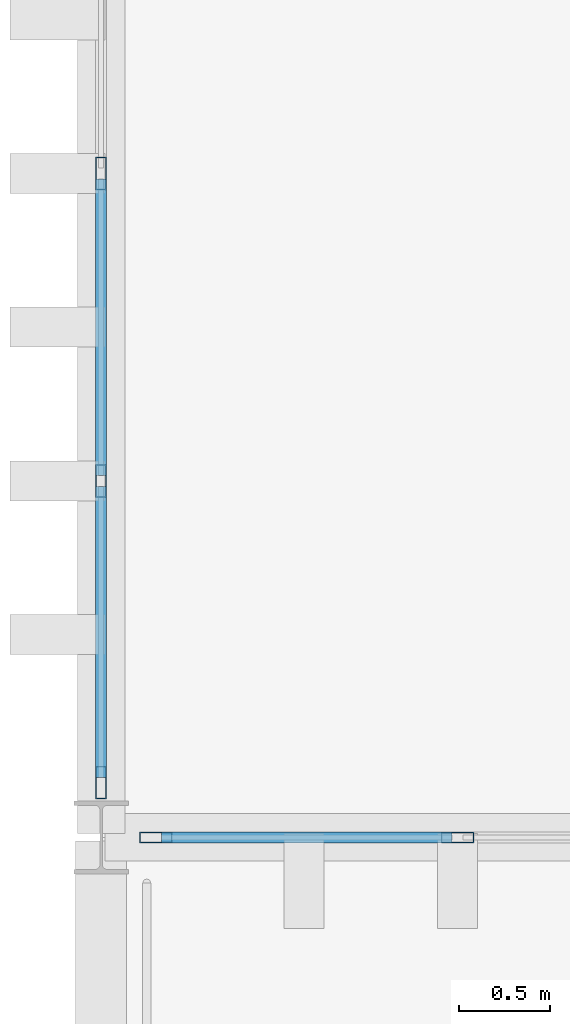
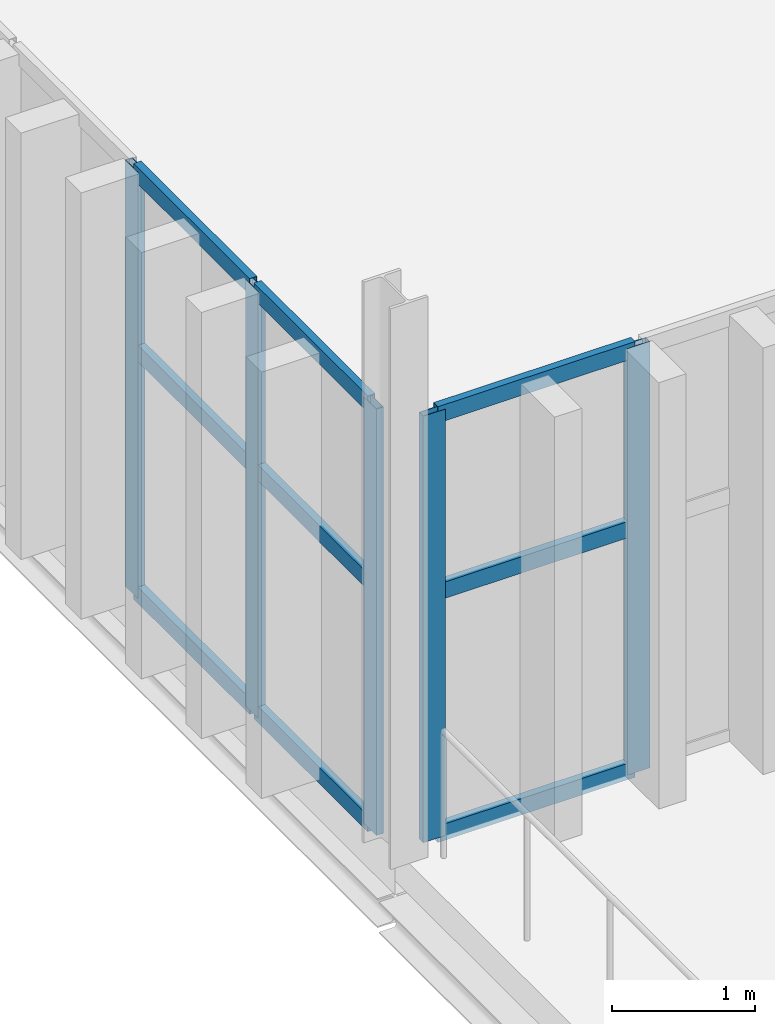
# One storey, part 38 of 196: 14 members, 2 elements without a shape of their own.
"""IFC4 building model written with IfcOpenShell, lengths in metres."""

from ifc_helpers import new_model, si_unit, direction, frame, origin, origin_2d, place, context, subcontext, project, spatial, hollow_rectangle, extrude, material, layer, layer_set, material_profile, profile_set, type_object, element, aggregate, save


model = new_model("IFC4")

# Units and contexts
model_context = context("Model", 3, precision=1e-05, world=origin(), true_north=direction((0.0, 1.0)))
body_context = subcontext(model_context, "Body", "Model", "MODEL_VIEW")
ifc_project = project(units=[si_unit("LENGTHUNIT", "METRE"), si_unit("AREAUNIT", "SQUARE_METRE"), si_unit("VOLUMEUNIT", "CUBIC_METRE"), si_unit("PLANEANGLEUNIT", "RADIAN"), si_unit("MASSUNIT", "GRAM", prefix="KILO")], contexts=[model_context])

# Site, building, storey
site_placement = place(None, origin())
site = spatial("IfcSite", under=ifc_project, at=site_placement, CompositionType="ELEMENT")
building_placement = place(site_placement, origin())
building = spatial("IfcBuilding", under=site, at=building_placement, Name="Barlavento Convention Centre", CompositionType="ELEMENT")
storey_placement = place(building_placement, frame((0.0, 0.0, 18.0)))
storey = spatial("IfcBuildingStorey", under=building, at=storey_placement, Name="L03", CompositionType="ELEMENT", Elevation=18.0)

# Curtain wall, members
ifc_material_1 = material(Name="Powder-coated aluminium and Low-E glass", Category="aluminium")
ifc_layer = layer(ifc_material_1, 0.179931640625)
ifc_layer_set = layer_set([ifc_layer], Name="ARC-CW-CONF-L03")
curtain_wall_type = type_object("IfcCurtainWallType", Name="ARC-CW-CONF-L03", PredefinedType="NOTDEFINED", material=ifc_layer_set)
curtain_wall_1_placement = place(storey_placement, origin())
curtain_wall_1 = element("IfcCurtainWall", 1, at=curtain_wall_1_placement, inside=storey, type_object=curtain_wall_type, Name="L03 unitised curtain wall CW08", PredefinedType="NOTDEFINED")
ifc_material_2 = material(Name="Powder-coated aluminium", Category="aluminium")
ifc_material_profile_1 = material_profile(ifc_material_2, hollow_rectangle(XDim=0.06005859375, YDim=0.179931640625, WallThickness=0.0048828125, at=origin_2d()), Name="AL-MULL 60x180x5")
ifc_profile_set_1 = profile_set([ifc_material_profile_1], Name="Powder-coated aluminium")
member_type_1 = type_object("IfcMemberType", Name="ARC-CWM-60X180", PredefinedType="MULLION", material=ifc_profile_set_1)
member_1_placement = place(storey_placement, frame((126.300048828125, 36.0, 0.0), z_axis=(0.0, 0.0, 1.0), x_axis=(0.0, 1.0, 0.0)))
member_1 = element("IfcMember", 2, at=member_1_placement, type_object=member_type_1, Name="CW08 mullion 1", PredefinedType="MULLION", context=body_context, shape_type="SweptSolid", body=[
    extrude(hollow_rectangle(XDim=0.06005859375, YDim=0.179931640625, WallThickness=0.0048828125, at=origin_2d()), origin(), (0.0, 0.0, 1.0), 3.64990234375),
])
member_2_placement = place(storey_placement, frame((127.95703125, 36.0, 0.0), z_axis=(0.0, 0.0, 1.0), x_axis=(0.0, 1.0, 0.0)))
member_2 = element("IfcMember", 3, at=member_2_placement, type_object=member_type_1, Name="CW08 mullion 2", PredefinedType="MULLION", context=body_context, shape_type="SweptSolid", body=[
    extrude(hollow_rectangle(XDim=0.06005859375, YDim=0.179931640625, WallThickness=0.0048828125, at=origin_2d()), origin(), (0.0, 0.0, 1.0), 3.64990234375),
])

curtain_wall_2_placement = place(storey_placement, origin())
curtain_wall_2 = element("IfcCurtainWall", 4, at=curtain_wall_2_placement, inside=storey, type_object=curtain_wall_type, Name="L03 unitised curtain wall CW08", PredefinedType="NOTDEFINED")
member_3_placement = place(storey_placement, frame((126.0, 36.300048828125, 0.0), z_axis=(0.0, 0.0, 1.0), x_axis=(-1.0, 0.0, 0.0)))
member_3 = element("IfcMember", 5, at=member_3_placement, type_object=member_type_1, Name="CW08 mullion 1", PredefinedType="MULLION", context=body_context, shape_type="SweptSolid", body=[
    extrude(hollow_rectangle(XDim=0.06005859375, YDim=0.179931640625, WallThickness=0.0048828125, at=origin_2d()), origin(), (0.0, 0.0, 1.0), 3.64990234375),
])
member_4_placement = place(storey_placement, frame((126.0, 37.95703125, 0.0), z_axis=(0.0, 0.0, 1.0), x_axis=(-1.0, 0.0, 0.0)))
member_4 = element("IfcMember", 6, at=member_4_placement, type_object=member_type_1, Name="CW08 mullion 2", PredefinedType="MULLION", context=body_context, shape_type="SweptSolid", body=[
    extrude(hollow_rectangle(XDim=0.06005859375, YDim=0.179931640625, WallThickness=0.0048828125, at=origin_2d()), origin(), (0.0, 0.0, 1.0), 3.64990234375),
])
member_5_placement = place(storey_placement, frame((126.0, 39.64404296875, 0.0), z_axis=(0.0, 0.0, 1.0), x_axis=(-1.0, 0.0, 0.0)))
member_5 = element("IfcMember", 7, at=member_5_placement, type_object=member_type_1, Name="CW08 mullion 3", PredefinedType="MULLION", context=body_context, shape_type="SweptSolid", body=[
    extrude(hollow_rectangle(XDim=0.06005859375, YDim=0.179931640625, WallThickness=0.0048828125, at=origin_2d()), origin(), (0.0, 0.0, 1.0), 3.64990234375),
])

# Member
ifc_material_profile_2 = material_profile(ifc_material_2, hollow_rectangle(XDim=0.06005859375, YDim=0.139892578125, WallThickness=0.00390625, at=origin_2d()), Name="AL-TRAN 60x140x4")
ifc_profile_set_2 = profile_set([ifc_material_profile_2], Name="Powder-coated aluminium")
member_type_2 = type_object("IfcMemberType", Name="ARC-CWT-60X140", PredefinedType="USERDEFINED", material=ifc_profile_set_2)
member_6_placement = place(storey_placement, frame((126.330078125, 36.0, 0.030029296875), z_axis=(1.0, 0.0, 0.0), x_axis=(0.0, 1.0, 0.0)))
member_6 = element("IfcMember", 8, at=member_6_placement, type_object=member_type_2, Name="CW08 transom 1.1", ObjectType="TRANSOM", PredefinedType="USERDEFINED", context=body_context, shape_type="SweptSolid", body=[
    extrude(hollow_rectangle(XDim=0.06005859375, YDim=0.139892578125, WallThickness=0.00390625, at=origin_2d()), origin(), (0.0, 0.0, 1.0), 1.596923828125),
])

member_7_placement = place(storey_placement, frame((126.330078125, 36.0, 2.10009765625), z_axis=(1.0, 0.0, 0.0), x_axis=(0.0, 1.0, 0.0)))
member_7 = element("IfcMember", 9, at=member_7_placement, type_object=member_type_2, Name="CW08 transom 1.2", ObjectType="TRANSOM", PredefinedType="USERDEFINED", context=body_context, shape_type="SweptSolid", body=[
    extrude(hollow_rectangle(XDim=0.06005859375, YDim=0.139892578125, WallThickness=0.00390625, at=origin_2d()), origin(), (0.0, 0.0, 1.0), 1.596923828125),
])

member_8_placement = place(storey_placement, frame((126.330078125, 36.0, 3.6201171875), z_axis=(1.0, 0.0, 0.0), x_axis=(0.0, 1.0, 0.0)))
member_8 = element("IfcMember", 10, at=member_8_placement, type_object=member_type_2, Name="CW08 transom 1.3", ObjectType="TRANSOM", PredefinedType="USERDEFINED", context=body_context, shape_type="SweptSolid", body=[
    extrude(hollow_rectangle(XDim=0.06005859375, YDim=0.139892578125, WallThickness=0.00390625, at=origin_2d()), origin(), (0.0, 0.0, 1.0), 1.596923828125),
])

aggregate(curtain_wall_1, [member_1, member_2, member_6, member_7, member_8])

member_9_placement = place(storey_placement, frame((126.0, 36.330078125, 0.030029296875), z_axis=(0.0, 1.0, 0.0), x_axis=(-1.0, 0.0, 0.0)))
member_9 = element("IfcMember", 11, at=member_9_placement, type_object=member_type_2, Name="CW08 transom 1.1", ObjectType="TRANSOM", PredefinedType="USERDEFINED", context=body_context, shape_type="SweptSolid", body=[
    extrude(hollow_rectangle(XDim=0.06005859375, YDim=0.139892578125, WallThickness=0.00390625, at=origin_2d()), origin(), (0.0, 0.0, 1.0), 1.596923828125),
])

member_10_placement = place(storey_placement, frame((126.0, 36.330078125, 2.10009765625), z_axis=(0.0, 1.0, 0.0), x_axis=(-1.0, 0.0, 0.0)))
member_10 = element("IfcMember", 12, at=member_10_placement, type_object=member_type_2, Name="CW08 transom 1.2", ObjectType="TRANSOM", PredefinedType="USERDEFINED", context=body_context, shape_type="SweptSolid", body=[
    extrude(hollow_rectangle(XDim=0.06005859375, YDim=0.139892578125, WallThickness=0.00390625, at=origin_2d()), origin(), (0.0, 0.0, 1.0), 1.596923828125),
])

member_11_placement = place(storey_placement, frame((126.0, 36.330078125, 3.6201171875), z_axis=(0.0, 1.0, 0.0), x_axis=(-1.0, 0.0, 0.0)))
member_11 = element("IfcMember", 13, at=member_11_placement, type_object=member_type_2, Name="CW08 transom 1.3", ObjectType="TRANSOM", PredefinedType="USERDEFINED", context=body_context, shape_type="SweptSolid", body=[
    extrude(hollow_rectangle(XDim=0.06005859375, YDim=0.139892578125, WallThickness=0.00390625, at=origin_2d()), origin(), (0.0, 0.0, 1.0), 1.596923828125),
])

member_12_placement = place(storey_placement, frame((126.0, 37.987060546875, 0.030029296875), z_axis=(0.0, 1.0, 0.0), x_axis=(-1.0, 0.0, 0.0)))
member_12 = element("IfcMember", 14, at=member_12_placement, type_object=member_type_2, Name="CW08 transom 2.1", ObjectType="TRANSOM", PredefinedType="USERDEFINED", context=body_context, shape_type="SweptSolid", body=[
    extrude(hollow_rectangle(XDim=0.06005859375, YDim=0.139892578125, WallThickness=0.00390625, at=origin_2d()), origin(), (0.0, 0.0, 1.0), 1.626953125),
])

member_13_placement = place(storey_placement, frame((126.0, 37.987060546875, 2.10009765625), z_axis=(0.0, 1.0, 0.0), x_axis=(-1.0, 0.0, 0.0)))
member_13 = element("IfcMember", 15, at=member_13_placement, type_object=member_type_2, Name="CW08 transom 2.2", ObjectType="TRANSOM", PredefinedType="USERDEFINED", context=body_context, shape_type="SweptSolid", body=[
    extrude(hollow_rectangle(XDim=0.06005859375, YDim=0.139892578125, WallThickness=0.00390625, at=origin_2d()), origin(), (0.0, 0.0, 1.0), 1.626953125),
])

member_14_placement = place(storey_placement, frame((126.0, 37.987060546875, 3.6201171875), z_axis=(0.0, 1.0, 0.0), x_axis=(-1.0, 0.0, 0.0)))
member_14 = element("IfcMember", 16, at=member_14_placement, type_object=member_type_2, Name="CW08 transom 2.3", ObjectType="TRANSOM", PredefinedType="USERDEFINED", context=body_context, shape_type="SweptSolid", body=[
    extrude(hollow_rectangle(XDim=0.06005859375, YDim=0.139892578125, WallThickness=0.00390625, at=origin_2d()), origin(), (0.0, 0.0, 1.0), 1.626953125),
])

aggregate(curtain_wall_2, [member_3, member_4, member_5, member_9, member_10, member_11, member_12, member_13, member_14])

save(model, "model.ifc")
